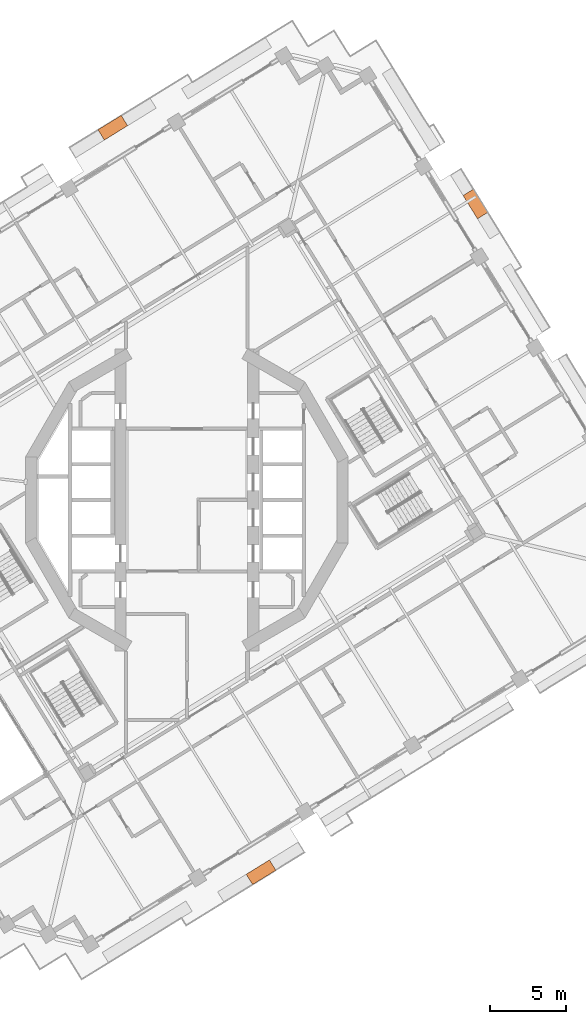
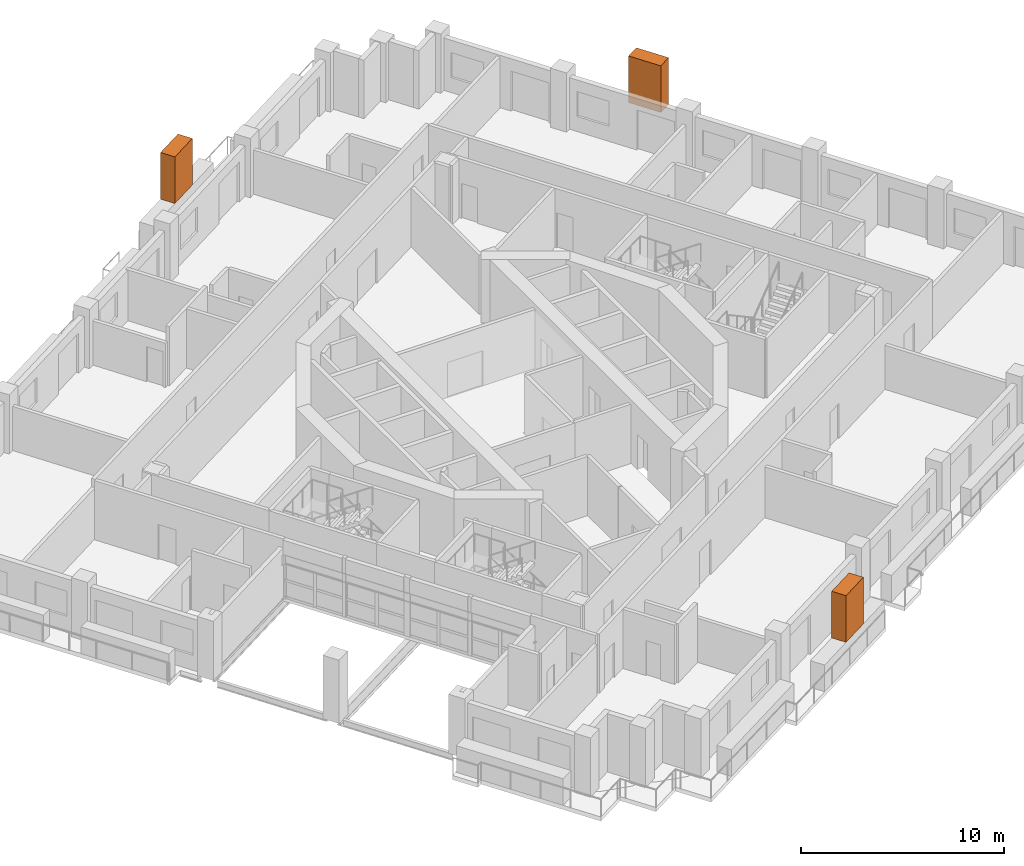
# One storey, part 22 of 22: 3 proxies.
"""IFC4 building model written with IfcOpenShell, lengths in metres."""

from ifc_helpers import new_model, si_unit, direction, frame, origin, origin_2d, place, context, subcontext, project, spatial, rectangle, extrude, element, save


model = new_model("IFC4")

# Units and contexts
model_context = context("Model", 3, precision=1e-05, world=origin(), true_north=direction((0.0, 1.0)))
body_context = subcontext(model_context, "Body", "Model", "MODEL_VIEW")
ifc_project = project(units=[si_unit("LENGTHUNIT", "METRE"), si_unit("AREAUNIT", "SQUARE_METRE"), si_unit("VOLUMEUNIT", "CUBIC_METRE"), si_unit("PLANEANGLEUNIT", "RADIAN"), si_unit("MASSUNIT", "GRAM", prefix="KILO")], contexts=[model_context])

# Site, building, storey
site_placement = place(None, origin())
site = spatial("IfcSite", under=ifc_project, at=site_placement, CompositionType="ELEMENT")
building_placement = place(site_placement, origin())
building = spatial("IfcBuilding", under=site, at=building_placement, Name="Cantera Rosa Tower", CompositionType="ELEMENT")
storey_placement = place(building_placement, frame((0.0, 0.0, 166.60009765625)))
storey = spatial("IfcBuildingStorey", under=building, at=storey_placement, Name="L36", CompositionType="ELEMENT", Elevation=166.60009765625)

# Proxies
for number, where, z_axis, x_axis, name in (
    (1, (19.012451171875, 19.505126953125, 1.60009765625), (0.0, 0.0, 1.0), (-0.52497658034, 0.851116672434, 0.0), "TREE L36-04"),
    (2, (-4.884033203125, 24.528564453125, 1.60009765625), (0.0, 0.0, 1.0), (-0.851116672434, -0.52497658034, 0.0), "TREE L36-07"),
    (3, (4.884033203125, -24.528564453125, 1.60009765625), (0.0, 0.0, 1.0), (0.851116672434, 0.52497658034, 0.0), "TREE L36-17"),
):
    element("IfcBuildingElementProxy", number, at=place(storey_placement, frame(where, z_axis=z_axis, x_axis=x_axis)), inside=storey, Name=name, ObjectType="TREE", PredefinedType="USERDEFINED", context=body_context, shape_type="SweptSolid", body=[
        extrude(rectangle(XDim=1.800048828125, YDim=0.800048828125, at=origin_2d()), origin(), (0.0, 0.0, 1.0), 2.800048828125),
    ])

save(model, "model.ifc")
